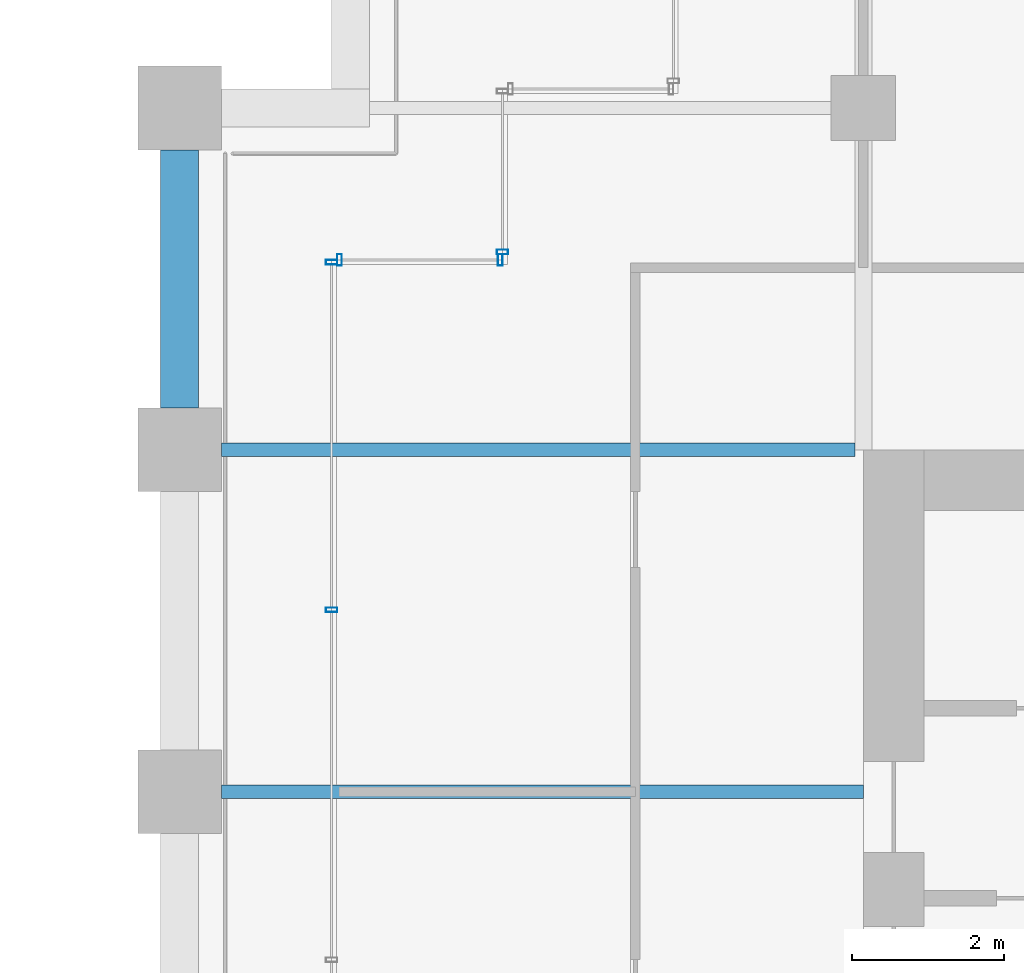
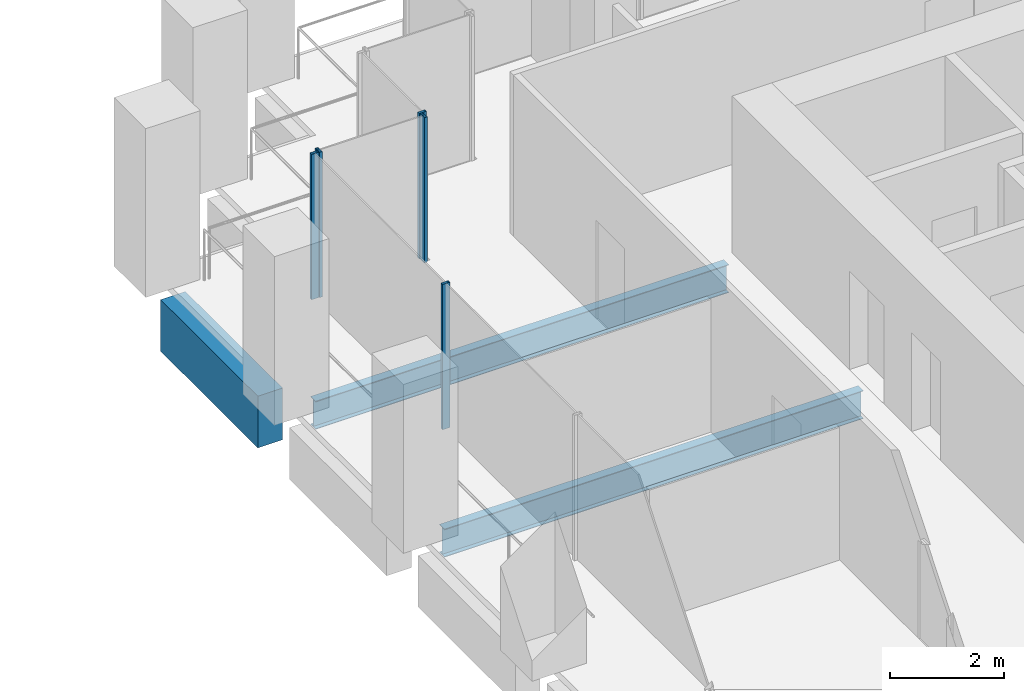
# One storey, part 40 of 56: 5 members, 3 beams, 3 elements without a shape of their own.
"""IFC4 building model written with IfcOpenShell, lengths in metres."""

from ifc_helpers import new_model, si_unit, direction, frame, origin, origin_2d, place, context, subcontext, project, spatial, rectangle, hollow_rectangle, i_section, extrude, material, material_profile, profile_set, type_object, element, aggregate, save


model = new_model("IFC4")

# Units and contexts
model_context = context("Model", 3, precision=1e-05, world=origin(), true_north=direction((0.0, 1.0)))
body_context = subcontext(model_context, "Body", "Model", "MODEL_VIEW")
ifc_project = project(units=[si_unit("LENGTHUNIT", "METRE"), si_unit("AREAUNIT", "SQUARE_METRE"), si_unit("VOLUMEUNIT", "CUBIC_METRE"), si_unit("PLANEANGLEUNIT", "RADIAN"), si_unit("MASSUNIT", "GRAM", prefix="KILO")], contexts=[model_context])

# Site, building, storey
site_placement = place(None, origin())
site = spatial("IfcSite", under=ifc_project, at=site_placement, CompositionType="ELEMENT")
building_placement = place(site_placement, origin())
building = spatial("IfcBuilding", under=site, at=building_placement, Name="Altepetl Exchange Towers", CompositionType="ELEMENT")
storey_placement = place(building_placement, frame((0.0, 0.0, 69.0)))
storey = spatial("IfcBuildingStorey", under=building, at=storey_placement, Name="L16", CompositionType="ELEMENT", Elevation=69.0)

# Beams
ifc_material_1 = material(Name="Steel S355", Category="steel")
ifc_material_profile_1 = material_profile(ifc_material_1, i_section(OverallWidth=0.177978515625, OverallDepth=0.59912109375, WebThickness=0.010009765625, FlangeThickness=0.0126953125, at=origin_2d()), Name="W24X55")
ifc_profile_set_1 = profile_set([ifc_material_profile_1], Name="Steel S355")
beam_type_1 = type_object("IfcBeamType", Name="Floor beam W24X55", PredefinedType="BEAM", material=ifc_profile_set_1)
beam_1_placement = place(storey_placement, frame((95.050048828125, 45.0, -0.449462890625), z_axis=(1.0, 0.0, 0.0), x_axis=(0.0, 1.0, 0.0)))
element("IfcBeam", 1, at=beam_1_placement, inside=storey, type_object=beam_type_1, Name="bm:B:L16:013", PredefinedType="BEAM", context=body_context, shape_type="SweptSolid", body=[
    extrude(i_section(OverallWidth=0.177978515625, OverallDepth=0.59912109375, WebThickness=0.010009765625, FlangeThickness=0.0126953125, at=origin_2d()), origin(), (0.0, 0.0, 1.0), 8.449951171875),
])
beam_2_placement = place(storey_placement, frame((95.050048828125, 49.5, -0.449462890625), z_axis=(1.0, 0.0, 0.0), x_axis=(0.0, 1.0, 0.0)))
element("IfcBeam", 2, at=beam_2_placement, inside=storey, type_object=beam_type_1, Name="bm:B:L16:014", PredefinedType="BEAM", context=body_context, shape_type="SweptSolid", body=[
    extrude(i_section(OverallWidth=0.177978515625, OverallDepth=0.59912109375, WebThickness=0.010009765625, FlangeThickness=0.0126953125, at=origin_2d()), origin(), (0.0, 0.0, 1.0), 8.3359375),
])

# Curtain wall, members
ifc_material_2 = material(Name="Aluminium 6063-T6 glazing", Category="aluminium")
curtain_wall_type = type_object("IfcCurtainWallType", Name="Loggia glazing system", PredefinedType="NOTDEFINED", material=ifc_material_2)
curtain_wall_1_placement = place(storey_placement, origin())
curtain_wall_1 = element("IfcCurtainWall", 3, at=curtain_wall_1_placement, inside=storey, type_object=curtain_wall_type, Name="CW1 run", PredefinedType="NOTDEFINED")
ifc_material_3 = material(Name="Aluminium 6063-T6", Category="aluminium")
ifc_material_profile_2 = material_profile(ifc_material_3, hollow_rectangle(XDim=0.06005859375, YDim=0.14990234375, WallThickness=0.0029296875, at=origin_2d()), Name="Mullion 60x150 aluminium")
ifc_profile_set_2 = profile_set([ifc_material_profile_2], Name="Aluminium 6063-T6")
member_type = type_object("IfcMemberType", Name="Mullion 60x150 aluminium", PredefinedType="MULLION", material=ifc_profile_set_2)
member_1_placement = place(storey_placement, frame((98.719970703125, 52.0, 0.0), z_axis=(0.0, 0.0, 1.0), x_axis=(-1.0, 0.0, 0.0)))
member_1 = element("IfcMember", 4, at=member_1_placement, type_object=member_type, Name="MU1 mullion", PredefinedType="MULLION", context=body_context, shape_type="SweptSolid", body=[
    extrude(hollow_rectangle(XDim=0.06005859375, YDim=0.14990234375, WallThickness=0.0029296875, at=origin_2d()), origin(), (0.0, 0.0, 1.0), 3.10009765625),
])
member_2_placement = place(storey_placement, frame((96.60498046875, 52.0, 0.0), z_axis=(0.0, 0.0, 1.0), x_axis=(-1.0, 0.0, 0.0)))
member_2 = element("IfcMember", 5, at=member_2_placement, type_object=member_type, Name="MU1 mullion", PredefinedType="MULLION", context=body_context, shape_type="SweptSolid", body=[
    extrude(hollow_rectangle(XDim=0.06005859375, YDim=0.14990234375, WallThickness=0.0029296875, at=origin_2d()), origin(), (0.0, 0.0, 1.0), 3.10009765625),
])
aggregate(curtain_wall_1, [member_1, member_2])

curtain_wall_2_placement = place(storey_placement, origin())
curtain_wall_2 = element("IfcCurtainWall", 6, at=curtain_wall_2_placement, inside=storey, type_object=curtain_wall_type, Name="CW1 run", PredefinedType="NOTDEFINED")
member_3_placement = place(storey_placement, frame((96.5, 51.969970703125, 0.0), z_axis=(0.0, 0.0, 1.0), x_axis=(0.0, -1.0, 0.0)))
member_3 = element("IfcMember", 7, at=member_3_placement, type_object=member_type, Name="MU1 mullion", PredefinedType="MULLION", context=body_context, shape_type="SweptSolid", body=[
    extrude(hollow_rectangle(XDim=0.06005859375, YDim=0.14990234375, WallThickness=0.0029296875, at=origin_2d()), origin(), (0.0, 0.0, 1.0), 3.10009765625),
])
member_4_placement = place(storey_placement, frame((96.5, 47.393798828125, 0.0), z_axis=(0.0, 0.0, 1.0), x_axis=(0.0, -1.0, 0.0)))
member_4 = element("IfcMember", 8, at=member_4_placement, type_object=member_type, Name="MU1 mullion", PredefinedType="MULLION", context=body_context, shape_type="SweptSolid", body=[
    extrude(hollow_rectangle(XDim=0.06005859375, YDim=0.14990234375, WallThickness=0.0029296875, at=origin_2d()), origin(), (0.0, 0.0, 1.0), 3.10009765625),
])
aggregate(curtain_wall_2, [member_3, member_4])

# Curtain wall, member
curtain_wall_3_placement = place(storey_placement, origin())
curtain_wall_3 = element("IfcCurtainWall", 9, at=curtain_wall_3_placement, inside=storey, type_object=curtain_wall_type, Name="CW1 run", PredefinedType="NOTDEFINED")
member_5_placement = place(storey_placement, frame((98.75, 52.10498046875, 0.0), z_axis=(0.0, 0.0, 1.0), x_axis=(0.0, -1.0, 0.0)))
member_5 = element("IfcMember", 10, at=member_5_placement, type_object=member_type, Name="MU1 mullion", PredefinedType="MULLION", context=body_context, shape_type="SweptSolid", body=[
    extrude(hollow_rectangle(XDim=0.06005859375, YDim=0.14990234375, WallThickness=0.0029296875, at=origin_2d()), origin(), (0.0, 0.0, 1.0), 3.10009765625),
])
aggregate(curtain_wall_3, [member_5])

# Beam
ifc_material_4 = material(Name="Concrete C50/60 precast with cantera rosa facing", Category="concrete")
ifc_material_profile_3 = material_profile(ifc_material_4, rectangle(XDim=0.5, YDim=1.10009765625, at=origin_2d()), Name="500 x 1100")
ifc_profile_set_3 = profile_set([ifc_material_profile_3], Name="Concrete C50/60 precast with cantera rosa facing")
beam_type_2 = type_object("IfcBeamType", Name="Spandrel beam 500x1100 cantera rosa", PredefinedType="SPANDREL", material=ifc_profile_set_3)
beam_3_placement = place(storey_placement, frame((94.5, 53.449951171875, -0.699951171875), z_axis=(0.0, -1.0, 0.0), x_axis=(1.0, 0.0, 0.0)))
element("IfcBeam", 11, at=beam_3_placement, inside=storey, type_object=beam_type_2, Name="sp:B:L16:027", PredefinedType="SPANDREL", context=body_context, shape_type="SweptSolid", body=[
    extrude(rectangle(XDim=0.5, YDim=1.10009765625, at=origin_2d()), origin(), (0.0, 0.0, 1.0), 3.39990234375),
])

save(model, "model.ifc")
